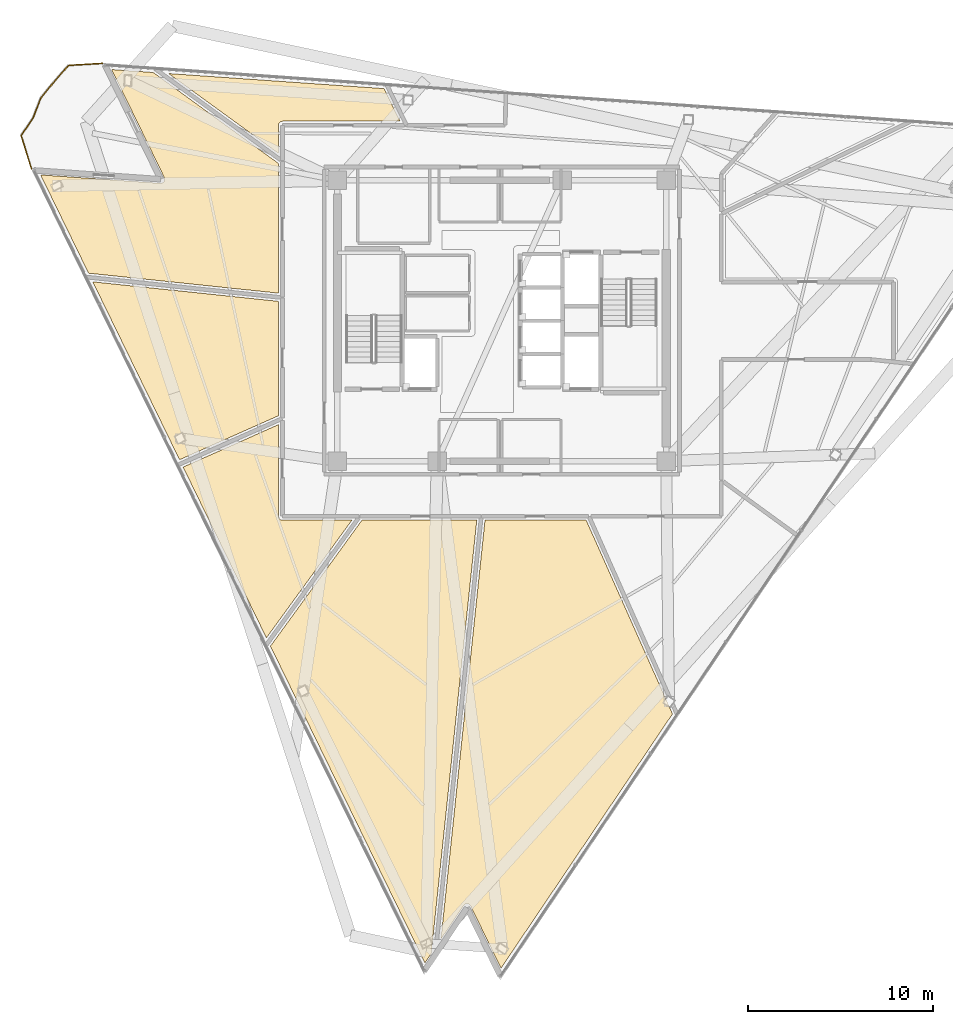
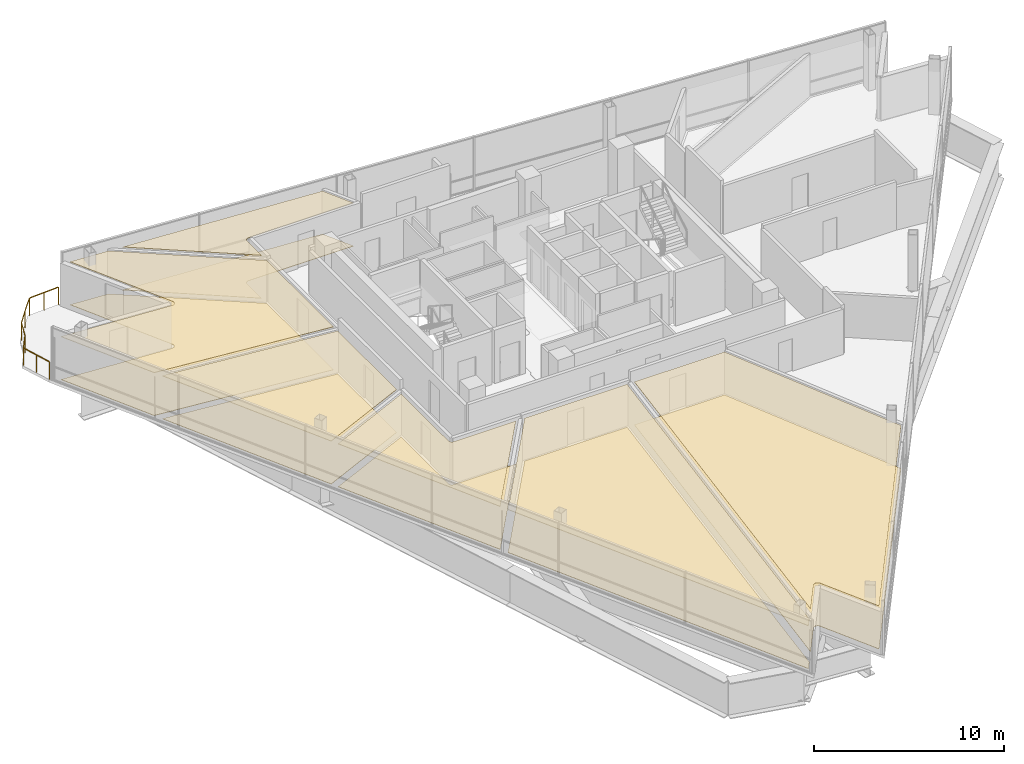
# One storey, part 12 of 14: 12 coverings, 1 railing.
"""IFC4 building model written with IfcOpenShell, lengths in metres."""

import ifcopenshell
import ifcopenshell.guid

model = None  # the IFC model being written
_history = None  # IfcOwnerHistory: only IFC2X3 demands one
_inside = {}  # id of a spatial element -> (the spatial element, [elements in it])
_under = {}  # id of a project, library or spatial element -> (it, [spatial elements below it])
_declared = {}  # id of a project -> (the project, [libraries it declares])
_typed = {}  # id of a type object -> (the type object, [elements of that type])
_made_of = {}  # id of a material, layer set ... -> (it, [elements and type objects made of it])


def new_model(schema):
    """Start an empty IFC model of exactly this schema.

    Asked for "IFC4X3", IfcOpenShell would pick the latest addendum, in which some entities
    have other attributes; the version numbers below select the first issue.
    IFC2X3 requires an IfcOwnerHistory on every rooted entity: one is made here for all.
    """
    global model, _history
    if schema == "IFC4X3":
        model = ifcopenshell.file(schema_version=(4, 3, 0, 0))
    else:
        model = ifcopenshell.file(schema=schema)
    _inside.clear()
    _under.clear()
    _declared.clear()
    _typed.clear()
    _made_of.clear()
    _history = None
    if model.schema == "IFC2X3":
        org = make("IfcOrganization", Name="unknown")
        user = make(
            "IfcPersonAndOrganization",
            ThePerson=make("IfcPerson", FamilyName="unknown"),
            TheOrganization=org,
        )
        app = make(
            "IfcApplication",
            ApplicationDeveloper=org,
            Version="unknown",
            ApplicationFullName="unknown",
            ApplicationIdentifier="unknown",
        )
        _history = make(
            "IfcOwnerHistory",
            OwningUser=user,
            OwningApplication=app,
            ChangeAction="ADDED",
            CreationDate=0,
        )
    return model


def make(cls, **values):
    """One entity of the class cls with the attributes given. An attribute that is None is left unset."""
    return model.create_entity(
        cls, **{name: value for name, value in values.items() if value is not None}
    )


def rooted(cls, **values):
    """An entity with a GlobalId (a new one), such as an element, a storey or a relation."""
    return make(cls, GlobalId=ifcopenshell.guid.new(), OwnerHistory=_history, **values)


def si_unit(unit_type, name, prefix=None):
    """IfcSIUnit, for example si_unit("LENGTHUNIT", "METRE", prefix="MILLI")."""
    return make("IfcSIUnit", UnitType=unit_type, Prefix=prefix, Name=name)


def assignment(units):
    """IfcUnitAssignment: the units of a project."""
    return None if units is None else make("IfcUnitAssignment", Units=units)


def point(xyz):
    """IfcCartesianPoint."""
    return None if xyz is None else make("IfcCartesianPoint", Coordinates=xyz)


def direction(xyz):
    """IfcDirection."""
    return None if xyz is None else make("IfcDirection", DirectionRatios=xyz)


def frame(location, z_axis=None, x_axis=None):
    """IfcAxis2Placement3D, a coordinate frame: its origin and axes. An axis left out is left unset."""
    return make(
        "IfcAxis2Placement3D",
        Location=point(location),
        Axis=direction(z_axis),
        RefDirection=direction(x_axis),
    )


def frame_2d(location, x_axis=None):
    """IfcAxis2Placement2D, a coordinate frame in the plane: its origin and x axis."""
    return make(
        "IfcAxis2Placement2D", Location=point(location), RefDirection=direction(x_axis)
    )


def origin():
    """The frame at (0, 0, 0) with its axes left unset."""
    return frame((0.0, 0.0, 0.0))


def origin_2d():
    """The frame at (0, 0) in the plane with its x axis left unset."""
    return frame_2d((0.0, 0.0))


def place(relative_to, where):
    """IfcLocalPlacement: puts the frame where relative to a parent placement (None: the world)."""
    return make(
        "IfcLocalPlacement", PlacementRelTo=relative_to, RelativePlacement=where
    )


def context(
    kind, dimensions, precision=None, world=None, true_north=None, identifier=None
):
    """IfcGeometricRepresentationContext, for example the 3D "Model" context."""
    return make(
        "IfcGeometricRepresentationContext",
        ContextIdentifier=identifier,
        ContextType=kind,
        CoordinateSpaceDimension=dimensions,
        Precision=precision,
        WorldCoordinateSystem=world,
        TrueNorth=true_north,
    )


def subcontext(parent, identifier, kind, view, scale=None):
    """IfcGeometricRepresentationSubContext, for example "Body" below "Model"."""
    return make(
        "IfcGeometricRepresentationSubContext",
        ContextIdentifier=identifier,
        ContextType=kind,
        ParentContext=parent,
        TargetScale=scale,
        TargetView=view,
    )


def project(units=None, contexts=None):
    """IfcProject with its units and contexts."""
    return rooted(
        "IfcProject",
        Name="project",
        RepresentationContexts=contexts,
        UnitsInContext=assignment(units),
    )


def spatial(cls, under=None, at=None, **own):
    """A site, building, storey or space (cls), placed at a placement, below another one or the project."""
    s = rooted(cls, ObjectPlacement=at, **own)
    if under is not None:
        _under.setdefault(under.id(), (under, []))[1].append(s)
    return s


def polyline(points):
    """IfcPolyline through the points."""
    return make("IfcPolyline", Points=[point(p) for p in points])


def profile(cls, at=None, kind="AREA", **sizes):
    """A parametric profile (cls). Its sizes go by their IFC names, for example OverallWidth=200.0."""
    return make(cls, ProfileType=kind, Position=at, **sizes)


def rectangle(**sizes):
    """IfcRectangleProfileDef."""
    return profile("IfcRectangleProfileDef", **sizes)


def outline(outer, holes=None, kind="AREA"):
    """IfcArbitraryClosedProfileDef: a profile drawn as a closed curve; with holes, ...WithVoids."""
    if holes is None:
        return make("IfcArbitraryClosedProfileDef", ProfileType=kind, OuterCurve=outer)
    return make(
        "IfcArbitraryProfileDefWithVoids",
        ProfileType=kind,
        OuterCurve=outer,
        InnerCurves=holes,
    )


def extrude(swept, where, along, depth):
    """IfcExtrudedAreaSolid: the profile swept, set in the frame where, extruded along a direction by depth."""
    return make(
        "IfcExtrudedAreaSolid",
        SweptArea=swept,
        Position=where,
        ExtrudedDirection=direction(along),
        Depth=depth,
    )


def shape(context_of_items, identifier, shape_type, items):
    """IfcShapeRepresentation: the items that make up one representation, for example the "Body"."""
    return make(
        "IfcShapeRepresentation",
        ContextOfItems=context_of_items,
        RepresentationIdentifier=identifier,
        RepresentationType=shape_type,
        Items=items,
    )


def material(Name=None, Category=None):
    """IfcMaterial."""
    return make("IfcMaterial", Name=Name, Category=Category)


def layer(
    of_material, thickness, ventilated=None, Name=None, Category=None, Priority=None
):
    """IfcMaterialLayer: one layer of a wall or slab, of a material (None: an air gap)."""
    return make(
        "IfcMaterialLayer",
        Material=of_material,
        LayerThickness=thickness,
        IsVentilated=ventilated,
        Name=Name,
        Category=Category,
        Priority=Priority,
    )


def layer_set(layers, Name=None):
    """IfcMaterialLayerSet."""
    return make("IfcMaterialLayerSet", MaterialLayers=layers, LayerSetName=Name)


def made_of(thing, what):
    """Note that an element or type object is made of a material, layer set ...; save() writes the relation."""
    if what is not None:
        _made_of.setdefault(what.id(), (what, []))[1].append(thing)
    return thing


def type_object(cls, material=None, **own):
    """A type object (cls), such as IfcWallType, which elements share."""
    return made_of(rooted(cls, **own), material)


def element(
    cls,
    number,
    at=None,
    inside=None,
    cuts=None,
    type_object=None,
    material=None,
    context=None,
    identifier="Body",
    shape_type=None,
    held_by="IfcProductDefinitionShape",
    body=None,
    shapes=None,
    **own,
):
    """One element of the class cls, such as IfcWall. Its Tag is "e" and its number.

    at: its placement. inside: the storey or other place that contains it. cuts: it is an
    opening in that element (IfcRelVoidsElement). A single representation is given by context,
    identifier, shape_type and body (its items); several are given by shapes. held_by: the class
    of the entity that holds the representations. save() writes the other relations.
    """
    e = rooted(cls, Tag="e%d" % number, ObjectPlacement=at, **own)
    if body is not None:
        shapes = [shape(context, identifier, shape_type, body)]
    if shapes is not None:
        e.Representation = make(held_by, Representations=shapes)
    if inside is not None:
        _inside.setdefault(inside.id(), (inside, []))[1].append(e)
    if cuts is not None:
        rooted(
            "IfcRelVoidsElement", RelatingBuildingElement=cuts, RelatedOpeningElement=e
        )
    if type_object is not None:
        _typed.setdefault(type_object.id(), (type_object, []))[1].append(e)
    return made_of(e, material)


def aggregate(whole, parts):
    """IfcRelAggregates: a whole, such as a stair, and the parts it consists of."""
    return rooted("IfcRelAggregates", RelatingObject=whole, RelatedObjects=parts)


def save(model, path):
    """Write the relations noted so far, then the file.

    IfcRelAggregates (storeys below a building ...), IfcRelContainedInSpatialStructure (elements
    in a storey), IfcRelDefinesByType, IfcRelAssociatesMaterial and IfcRelDeclares: one each for
    every whole, place, type object, material and project.
    """
    for whole, parts in _under.values():
        aggregate(whole, parts)
    for where, things in _inside.values():
        rooted(
            "IfcRelContainedInSpatialStructure",
            RelatedElements=things,
            RelatingStructure=where,
        )
    for kind, things in _typed.values():
        rooted("IfcRelDefinesByType", RelatedObjects=things, RelatingType=kind)
    for what, things in _made_of.values():
        rooted("IfcRelAssociatesMaterial", RelatedObjects=things, RelatingMaterial=what)
    for by, libraries in _declared.values():
        rooted("IfcRelDeclares", RelatingContext=by, RelatedDefinitions=libraries)
    model.write(path)


model = new_model("IFC4")

# Units and contexts
model_context = context("Model", 3, precision=1e-05, world=origin(), true_north=direction((0.0, 1.0)))
body_context = subcontext(model_context, "Body", "Model", "MODEL_VIEW")
ifc_project = project(units=[si_unit("LENGTHUNIT", "METRE"), si_unit("AREAUNIT", "SQUARE_METRE"), si_unit("VOLUMEUNIT", "CUBIC_METRE"), si_unit("PLANEANGLEUNIT", "RADIAN"), si_unit("MASSUNIT", "GRAM", prefix="KILO")], contexts=[model_context])

# Site, building, storey
site_placement = place(None, origin())
site = spatial("IfcSite", under=ifc_project, at=site_placement, CompositionType="ELEMENT")
building_placement = place(site_placement, origin())
building = spatial("IfcBuilding", under=site, at=building_placement, Name="Tharavind Bronze Gate", CompositionType="ELEMENT")
storey_placement = place(building_placement, frame((0.0, 0.0, 227.050048828125)))
storey = spatial("IfcBuildingStorey", under=building, at=storey_placement, Name="L58", CompositionType="ELEMENT", Elevation=227.050048828125)

# Coverings
ifc_material_1 = material(Name="Perforated Bronze Acoustic Panel", Category="bronze")
ifc_layer_1 = layer(ifc_material_1, 0.044921875)
ifc_layer_set_1 = layer_set([ifc_layer_1], Name="Perforated Bronze Acoustic Panel")
covering_type_1 = type_object("IfcCoveringType", Name="ACOUSTIC BRONZE BAFFLE CEILING", PredefinedType="CEILING", material=ifc_layer_set_1)
covering_1_placement = place(storey_placement, frame((0.0, 0.0, 2.75)))
element("IfcCovering", 1, at=covering_1_placement, inside=storey, type_object=covering_type_1, Name="L58-RM-04 suspended ceiling", PredefinedType="CEILING", context=body_context, shape_type="SweptSolid", body=[
    extrude(outline(polyline([(-22.376708984375, 2.572998046875), (-12.10009765625, 1.492919921875), (-12.10009765625, 8.519287109375), (-18.874267578125, 13.441162109375), (-21.125, 13.598388671875), (-18.2763671875, 7.7578125), (-18.27197265625, 7.747802734375), (-18.271728515625, 7.747314453125), (-18.263916015625, 7.726806640625), (-18.258544921875, 7.70556640625), (-18.255126953125, 7.683837890625), (-18.25390625, 7.661865234375), (-18.2548828125, 7.639892578125), (-18.258056640625, 7.618408203125), (-18.263427734375, 7.596923828125), (-18.270751953125, 7.576416015625), (-18.2802734375, 7.556640625), (-18.29150390625, 7.537841796875), (-18.3046875, 7.520263671875), (-18.319580078125, 7.504150390625), (-18.3359375, 7.489501953125), (-18.353759765625, 7.4765625), (-18.37255859375, 7.465576171875), (-18.392578125, 7.456298828125), (-18.413330078125, 7.449462890625), (-18.434814453125, 7.4443359375), (-18.456298828125, 7.44140625), (-18.478271484375, 7.44091796875), (-18.47900390625, 7.44091796875), (-18.489990234375, 7.44140625), (-24.972412109375, 7.894775390625), (-22.376708984375, 2.572998046875)])), origin(), (0.0, 0.0, 1.0), 0.034912109375),
])
ifc_material_2 = material(Name="Engineered Oak & Carpet Tile", Category="wood")
ifc_layer_2 = layer(ifc_material_2, 0.02490234375)
ifc_layer_set_2 = layer_set([ifc_layer_2], Name="Engineered Oak & Carpet Tile")
covering_type_2 = type_object("IfcCoveringType", Name="ENGINEERED TIMBER FLOORING", PredefinedType="FLOORING", material=ifc_layer_set_2)
covering_2_placement = place(storey_placement, origin())
element("IfcCovering", 2, at=covering_2_placement, inside=storey, type_object=covering_type_2, Name="L58-RM-03 floor finish", PredefinedType="FLOORING", context=body_context, shape_type="SweptSolid", body=[
    extrude(outline(polyline([(-12.10009765625, 9.06298828125), (-12.10009765625, 10.579345703125), (-12.099609375, 10.590087890625), (-12.099609375, 10.5908203125), (-12.09765625, 10.6123046875), (-12.093505859375, 10.63330078125), (-12.087158203125, 10.654052734375), (-12.078857421875, 10.674072265625), (-12.068603515625, 10.693115234375), (-12.056640625, 10.7109375), (-12.04296875, 10.727783203125), (-12.027587890625, 10.742919921875), (-12.010986328125, 10.756591796875), (-11.9931640625, 10.768798828125), (-11.97412109375, 10.77880859375), (-11.9541015625, 10.787109375), (-11.933349609375, 10.79345703125), (-11.912353515625, 10.797607421875), (-11.890869140625, 10.7998046875), (-11.89013671875, 10.7998046875), (-11.87939453125, 10.800048828125), (-5.51220703125, 10.800048828125), (-6.3740234375, 12.56689453125), (-18.0458984375, 13.383056640625), (-12.10009765625, 9.06298828125)])), origin(), (0.0, 0.0, 1.0), 0.02490234375),
])
covering_3_placement = place(storey_placement, origin())
element("IfcCovering", 3, at=covering_3_placement, inside=storey, type_object=covering_type_2, Name="L58-RM-04 floor finish", PredefinedType="FLOORING", context=body_context, shape_type="SweptSolid", body=[
    extrude(outline(polyline([(-22.376708984375, 2.572998046875), (-12.10009765625, 1.492919921875), (-12.10009765625, 8.519287109375), (-18.874267578125, 13.441162109375), (-21.125, 13.598388671875), (-18.2763671875, 7.7578125), (-18.27197265625, 7.747802734375), (-18.271728515625, 7.747314453125), (-18.263916015625, 7.726806640625), (-18.258544921875, 7.70556640625), (-18.255126953125, 7.683837890625), (-18.25390625, 7.661865234375), (-18.2548828125, 7.639892578125), (-18.258056640625, 7.618408203125), (-18.263427734375, 7.596923828125), (-18.270751953125, 7.576416015625), (-18.2802734375, 7.556640625), (-18.29150390625, 7.537841796875), (-18.3046875, 7.520263671875), (-18.319580078125, 7.504150390625), (-18.3359375, 7.489501953125), (-18.353759765625, 7.4765625), (-18.37255859375, 7.465576171875), (-18.392578125, 7.456298828125), (-18.413330078125, 7.449462890625), (-18.434814453125, 7.4443359375), (-18.456298828125, 7.44140625), (-18.478271484375, 7.44091796875), (-18.47900390625, 7.44091796875), (-18.489990234375, 7.44140625), (-24.972412109375, 7.894775390625), (-22.376708984375, 2.572998046875)])), origin(), (0.0, 0.0, 1.0), 0.02490234375),
])
covering_4_placement = place(storey_placement, origin())
element("IfcCovering", 4, at=covering_4_placement, inside=storey, type_object=covering_type_2, Name="L58-RM-05 floor finish", PredefinedType="FLOORING", context=body_context, shape_type="SweptSolid", body=[
    extrude(outline(polyline([(-17.449951171875, -7.5283203125), (-12.10009765625, -5.146484375), (-12.10009765625, 1.050537109375), (-22.1494140625, 2.106689453125), (-17.449951171875, -7.5283203125)])), origin(), (0.0, 0.0, 1.0), 0.02490234375),
])
covering_5_placement = place(storey_placement, origin())
element("IfcCovering", 5, at=covering_5_placement, inside=storey, type_object=covering_type_2, Name="L58-RM-06 floor finish", PredefinedType="FLOORING", context=body_context, shape_type="SweptSolid", body=[
    extrude(outline(polyline([(-12.747314453125, -17.170654296875), (-8.11865234375, -10.800048828125), (-11.87939453125, -10.800048828125), (-11.89013671875, -10.7998046875), (-11.890869140625, -10.7998046875), (-11.912353515625, -10.797607421875), (-11.933349609375, -10.79345703125), (-11.9541015625, -10.787109375), (-11.97412109375, -10.77880859375), (-11.9931640625, -10.768798828125), (-12.010986328125, -10.756591796875), (-12.027587890625, -10.742919921875), (-12.04296875, -10.727783203125), (-12.056640625, -10.7109375), (-12.068603515625, -10.693115234375), (-12.078857421875, -10.674072265625), (-12.087158203125, -10.654052734375), (-12.093505859375, -10.63330078125), (-12.09765625, -10.6123046875), (-12.099609375, -10.5908203125), (-12.099609375, -10.590087890625), (-12.10009765625, -10.579345703125), (-12.10009765625, -5.628173828125), (-17.257080078125, -7.924072265625), (-12.747314453125, -17.170654296875)])), origin(), (0.0, 0.0, 1.0), 0.02490234375),
])
covering_6_placement = place(storey_placement, origin())
element("IfcCovering", 6, at=covering_6_placement, inside=storey, type_object=covering_type_2, Name="L58-RM-07 floor finish", PredefinedType="FLOORING", context=body_context, shape_type="SweptSolid", body=[
    extrude(outline(polyline([(-4.16455078125, -34.767578125), (-3.822021484375, -34.259765625), (-1.356201171875, -10.800048828125), (-7.57470703125, -10.800048828125), (-12.52880859375, -17.61865234375), (-4.16455078125, -34.767578125)])), origin(), (0.0, 0.0, 1.0), 0.02490234375),
])
covering_7_placement = place(storey_placement, origin())
element("IfcCovering", 7, at=covering_7_placement, inside=storey, type_object=covering_type_2, Name="L58-RM-08 floor finish", PredefinedType="FLOORING", context=body_context, shape_type="SweptSolid", body=[
    extrude(outline(polyline([(-2.069580078125, -31.66162109375), (-2.0634765625, -31.65283203125), (-2.06298828125, -31.65234375), (-2.049072265625, -31.635498046875), (-2.033447265625, -31.6201171875), (-2.016357421875, -31.606201171875), (-1.998046875, -31.59423828125), (-1.978515625, -31.584228515625), (-1.9580078125, -31.576171875), (-1.93701171875, -31.570068359375), (-1.91552734375, -31.566162109375), (-1.8935546875, -31.564453125), (-1.87158203125, -31.564697265625), (-1.849853515625, -31.5673828125), (-1.82861328125, -31.572265625), (-1.8076171875, -31.5791015625), (-1.78759765625, -31.587890625), (-1.7685546875, -31.598876953125), (-1.750732421875, -31.611572265625), (-1.734130859375, -31.6259765625), (-1.71923828125, -31.64208984375), (-1.705810546875, -31.659423828125), (-1.6943359375, -31.677978515625), (-1.694091796875, -31.6787109375), (-1.68896484375, -31.688232421875), (-0.046630859375, -35.055419921875), (9.23828125, -21.290283203125), (4.567626953125, -10.800048828125), (-0.913818359375, -10.800048828125), (-3.298095703125, -33.482666015625), (-2.069580078125, -31.66162109375)])), origin(), (0.0, 0.0, 1.0), 0.02490234375),
])
ifc_material_3 = material(Name="Acoustic Gypsum Board", Category="gypsum")
ifc_layer_3 = layer(ifc_material_3, 0.030029296875)
ifc_layer_set_3 = layer_set([ifc_layer_3], Name="Acoustic Gypsum Board")
covering_type_3 = type_object("IfcCoveringType", Name="GYPSUM SUSPENDED CEILING", PredefinedType="CEILING", material=ifc_layer_set_3)
covering_8_placement = place(storey_placement, frame((0.0, 0.0, 2.75)))
element("IfcCovering", 8, at=covering_8_placement, inside=storey, type_object=covering_type_3, Name="L58-RM-03 suspended ceiling", PredefinedType="CEILING", context=body_context, shape_type="SweptSolid", body=[
    extrude(outline(polyline([(-12.10009765625, 9.06298828125), (-12.10009765625, 10.579345703125), (-12.099609375, 10.590087890625), (-12.099609375, 10.5908203125), (-12.09765625, 10.6123046875), (-12.093505859375, 10.63330078125), (-12.087158203125, 10.654052734375), (-12.078857421875, 10.674072265625), (-12.068603515625, 10.693115234375), (-12.056640625, 10.7109375), (-12.04296875, 10.727783203125), (-12.027587890625, 10.742919921875), (-12.010986328125, 10.756591796875), (-11.9931640625, 10.768798828125), (-11.97412109375, 10.77880859375), (-11.9541015625, 10.787109375), (-11.933349609375, 10.79345703125), (-11.912353515625, 10.797607421875), (-11.890869140625, 10.7998046875), (-11.89013671875, 10.7998046875), (-11.87939453125, 10.800048828125), (-5.51220703125, 10.800048828125), (-6.3740234375, 12.56689453125), (-18.0458984375, 13.383056640625), (-12.10009765625, 9.06298828125)])), origin(), (0.0, 0.0, 1.0), 0.034912109375),
])
covering_9_placement = place(storey_placement, frame((0.0, 0.0, 2.75)))
element("IfcCovering", 9, at=covering_9_placement, inside=storey, type_object=covering_type_3, Name="L58-RM-05 suspended ceiling", PredefinedType="CEILING", context=body_context, shape_type="SweptSolid", body=[
    extrude(outline(polyline([(-17.449951171875, -7.5283203125), (-12.10009765625, -5.146484375), (-12.10009765625, 1.050537109375), (-22.1494140625, 2.106689453125), (-17.449951171875, -7.5283203125)])), origin(), (0.0, 0.0, 1.0), 0.034912109375),
])
covering_10_placement = place(storey_placement, frame((0.0, 0.0, 2.75)))
element("IfcCovering", 10, at=covering_10_placement, inside=storey, type_object=covering_type_3, Name="L58-RM-06 suspended ceiling", PredefinedType="CEILING", context=body_context, shape_type="SweptSolid", body=[
    extrude(outline(polyline([(-12.747314453125, -17.170654296875), (-8.11865234375, -10.800048828125), (-11.87939453125, -10.800048828125), (-11.89013671875, -10.7998046875), (-11.890869140625, -10.7998046875), (-11.912353515625, -10.797607421875), (-11.933349609375, -10.79345703125), (-11.9541015625, -10.787109375), (-11.97412109375, -10.77880859375), (-11.9931640625, -10.768798828125), (-12.010986328125, -10.756591796875), (-12.027587890625, -10.742919921875), (-12.04296875, -10.727783203125), (-12.056640625, -10.7109375), (-12.068603515625, -10.693115234375), (-12.078857421875, -10.674072265625), (-12.087158203125, -10.654052734375), (-12.093505859375, -10.63330078125), (-12.09765625, -10.6123046875), (-12.099609375, -10.5908203125), (-12.099609375, -10.590087890625), (-12.10009765625, -10.579345703125), (-12.10009765625, -5.628173828125), (-17.257080078125, -7.924072265625), (-12.747314453125, -17.170654296875)])), origin(), (0.0, 0.0, 1.0), 0.034912109375),
])
covering_11_placement = place(storey_placement, frame((0.0, 0.0, 2.75)))
element("IfcCovering", 11, at=covering_11_placement, inside=storey, type_object=covering_type_3, Name="L58-RM-07 suspended ceiling", PredefinedType="CEILING", context=body_context, shape_type="SweptSolid", body=[
    extrude(outline(polyline([(-4.16455078125, -34.767578125), (-3.822021484375, -34.259765625), (-1.356201171875, -10.800048828125), (-7.57470703125, -10.800048828125), (-12.52880859375, -17.61865234375), (-4.16455078125, -34.767578125)])), origin(), (0.0, 0.0, 1.0), 0.034912109375),
])
covering_12_placement = place(storey_placement, frame((0.0, 0.0, 2.75)))
element("IfcCovering", 12, at=covering_12_placement, inside=storey, type_object=covering_type_3, Name="L58-RM-08 suspended ceiling", PredefinedType="CEILING", context=body_context, shape_type="SweptSolid", body=[
    extrude(outline(polyline([(-2.069580078125, -31.66162109375), (-2.0634765625, -31.65283203125), (-2.06298828125, -31.65234375), (-2.049072265625, -31.635498046875), (-2.033447265625, -31.6201171875), (-2.016357421875, -31.606201171875), (-1.998046875, -31.59423828125), (-1.978515625, -31.584228515625), (-1.9580078125, -31.576171875), (-1.93701171875, -31.570068359375), (-1.91552734375, -31.566162109375), (-1.8935546875, -31.564453125), (-1.87158203125, -31.564697265625), (-1.849853515625, -31.5673828125), (-1.82861328125, -31.572265625), (-1.8076171875, -31.5791015625), (-1.78759765625, -31.587890625), (-1.7685546875, -31.598876953125), (-1.750732421875, -31.611572265625), (-1.734130859375, -31.6259765625), (-1.71923828125, -31.64208984375), (-1.705810546875, -31.659423828125), (-1.6943359375, -31.677978515625), (-1.694091796875, -31.6787109375), (-1.68896484375, -31.688232421875), (-0.046630859375, -35.055419921875), (9.23828125, -21.290283203125), (4.567626953125, -10.800048828125), (-0.913818359375, -10.800048828125), (-3.298095703125, -33.482666015625), (-2.069580078125, -31.66162109375)])), origin(), (0.0, 0.0, 1.0), 0.034912109375),
])

# Railing
ifc_material_4 = material(Name="Bronze Cap & Laminated Glass", Category="glass")
railing_type = type_object("IfcRailingType", Name="TERRACE GLASS GUARD RAILING 1150", PredefinedType="GUARDRAIL", material=ifc_material_4)
railing_placement = place(storey_placement, frame((-25.4697265625, 8.230224609375, 0.0)))
element("IfcRailing", 13, at=railing_placement, inside=storey, type_object=railing_type, Name="L58 tree balcony guard railing", PredefinedType="GUARDRAIL", context=body_context, shape_type="SweptSolid", body=[
    extrude(rectangle(XDim=0.048095703125, YDim=0.048095703125, at=origin_2d()), frame((-0.009521484375, 0.030517578125, 1.1259765625), z_axis=(-0.294314517562, 0.955708619168, 0.0), x_axis=(-0.955708619168, -0.294314517562, 0.0)), (0.0, 0.0, 1.0), 1.8115234375),
    extrude(rectangle(XDim=0.048095703125, YDim=0.048095703125, at=origin_2d()), frame((-0.5341796875, 1.819091796875, 1.1259765625), z_axis=(0.559213151727, 0.829023914574, 0.0), x_axis=(-0.829023914574, 0.559213151727, 0.0)), (0.0, 0.0, 1.0), 1.08251953125),
    extrude(rectangle(XDim=0.048095703125, YDim=0.048095703125, at=origin_2d()), frame((0.1005859375, 2.772705078125, 1.1259765625), z_axis=(0.361885115159, 0.932222700553, 0.0), x_axis=(-0.932222700553, 0.361885115159, 0.0)), (0.0, 0.0, 1.0), 1.11181640625),
    extrude(rectangle(XDim=0.048095703125, YDim=0.048095703125, at=origin_2d()), frame((0.53515625, 3.86376953125, 1.1259765625), z_axis=(0.637324854119, 0.77059524416, 0.0), x_axis=(-0.77059524416, 0.637324854119, 0.0)), (0.0, 0.0, 1.0), 1.08837890625),
    extrude(rectangle(XDim=0.048095703125, YDim=0.048095703125, at=origin_2d()), frame((1.270263671875, 4.7509765625, 1.1259765625), z_axis=(0.660580286946, 0.750755409237, 0.0), x_axis=(-0.750755409237, 0.660580286946, 0.0)), (0.0, 0.0, 1.0), 1.092041015625),
    extrude(rectangle(XDim=0.048095703125, YDim=0.048095703125, at=origin_2d()), frame((2.044677734375, 5.596923828125, 1.1259765625), z_axis=(0.998250930511, 0.059119199371, 0.0), x_axis=(-0.059119199371, 0.998250930511, 0.0)), (0.0, 0.0, 1.0), 1.773681640625),
    extrude(rectangle(XDim=0.0400390625, YDim=0.0400390625, at=origin_2d()), origin(), (0.0, 0.0, 1.0), 1.097900390625),
    extrude(rectangle(XDim=0.0400390625, YDim=0.0400390625, at=origin_2d()), frame((-0.27587890625, 0.896240234375, 0.0)), (0.0, 0.0, 1.0), 1.097900390625),
    extrude(rectangle(XDim=0.0400390625, YDim=0.0400390625, at=origin_2d()), frame((-0.552001953125, 1.79248046875, 0.0)), (0.0, 0.0, 1.0), 1.097900390625),
    extrude(rectangle(XDim=0.0400390625, YDim=0.0400390625, at=origin_2d()), frame((0.089111328125, 2.742919921875, 0.0)), (0.0, 0.0, 1.0), 1.097900390625),
    extrude(rectangle(XDim=0.0400390625, YDim=0.0400390625, at=origin_2d()), frame((0.5146484375, 3.839111328125, 0.0)), (0.0, 0.0, 1.0), 1.097900390625),
    extrude(rectangle(XDim=0.0400390625, YDim=0.0400390625, at=origin_2d()), frame((1.2490234375, 4.72705078125, 0.0)), (0.0, 0.0, 1.0), 1.097900390625),
    extrude(rectangle(XDim=0.0400390625, YDim=0.0400390625, at=origin_2d()), frame((2.0126953125, 5.594970703125, 0.0)), (0.0, 0.0, 1.0), 1.097900390625),
    extrude(rectangle(XDim=0.0400390625, YDim=0.0400390625, at=origin_2d()), frame((2.929931640625, 5.6494140625, 0.0)), (0.0, 0.0, 1.0), 1.097900390625),
    extrude(rectangle(XDim=0.0400390625, YDim=0.0400390625, at=origin_2d()), frame((3.84716796875, 5.70361328125, 0.0)), (0.0, 0.0, 1.0), 1.097900390625),
])

save(model, "model.ifc")
